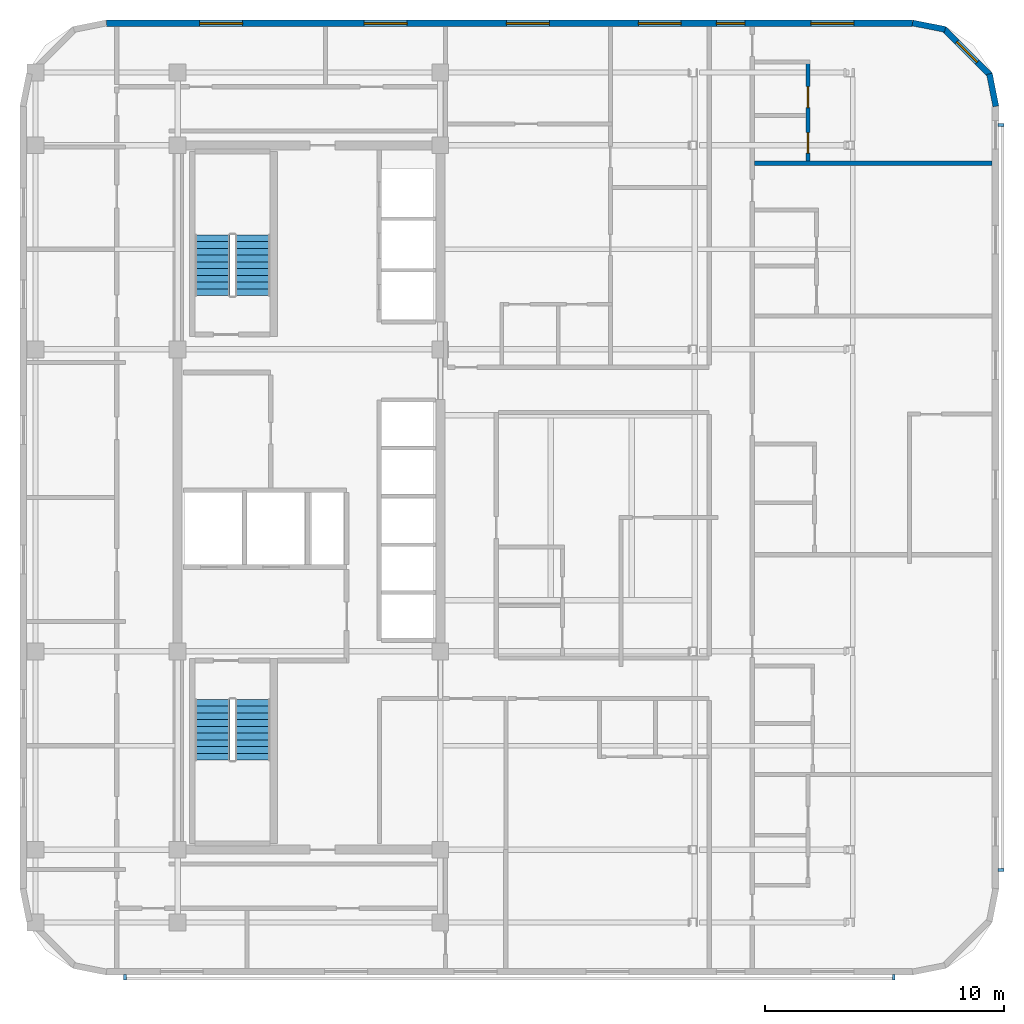
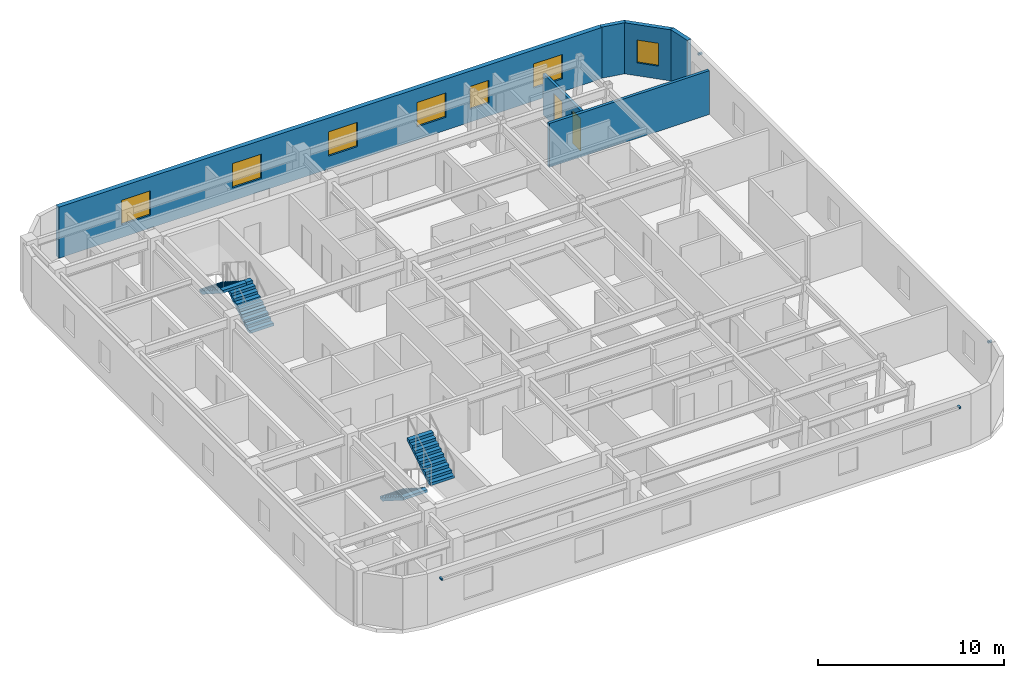
# One storey, part 7 of 10: 7 windows, 6 walls, 4 discrete accessories, 4 stair flights, 2 doors, 9 openings, 2 elements without a shape of their own.
"""IFC4 building model written with IfcOpenShell, lengths in metres."""

from ifc_helpers import new_model, si_unit, direction, frame, frame_2d, origin, origin_2d, place, context, subcontext, project, spatial, polyline, rectangle, outline, extrude, material, layer, layer_set, type_object, element, fill, aggregate, save


model = new_model("IFC4")

# Units and contexts
model_context = context("Model", 3, precision=1e-05, world=origin(), true_north=direction((0.0, 1.0)))
body_context = subcontext(model_context, "Body", "Model", "MODEL_VIEW")
ifc_project = project(units=[si_unit("LENGTHUNIT", "METRE"), si_unit("AREAUNIT", "SQUARE_METRE"), si_unit("VOLUMEUNIT", "CUBIC_METRE"), si_unit("PLANEANGLEUNIT", "RADIAN"), si_unit("MASSUNIT", "GRAM", prefix="KILO")], contexts=[model_context])

# Site, building, storey
site_placement = place(None, origin())
site = spatial("IfcSite", under=ifc_project, at=site_placement, CompositionType="ELEMENT")
building_placement = place(site_placement, origin())
building = spatial("IfcBuilding", under=site, at=building_placement, Name="Ochreholt Gables", CompositionType="ELEMENT")
storey_placement = place(building_placement, frame((0.0, 0.0, 166.199951171875)))
storey = spatial("IfcBuildingStorey", under=building, at=storey_placement, Name="L43", CompositionType="ELEMENT", Elevation=166.199951171875)

# Wall, openings, windows
ifc_material_1 = material(Name="Precast concrete 40 MPa", Category="concrete")
ifc_layer_1 = layer(ifc_material_1, 0.280029296875, Name="Precast concrete 40 MPa")
ifc_layer_set_1 = layer_set([ifc_layer_1], Name="Precast concrete 40 MPa")
wall_type_1 = type_object("IfcWallType", Name="WALL-EXT-280", PredefinedType="SOLIDWALL", material=ifc_layer_set_1)
wall_1_placement = place(storey_placement, frame((54.97998046875, 43.860107421875, 0.0), z_axis=(0.0, 0.0, 1.0), x_axis=(-1.0, 0.0, 0.0)))
wall_1 = element("IfcWall", 1, at=wall_1_placement, inside=storey, type_object=wall_type_1, Name="L43 North Exterior Wall", PredefinedType="SOLIDWALL", context=body_context, shape_type="SweptSolid", body=[
    extrude(rectangle(XDim=33.760009765625, YDim=0.280029296875, at=frame_2d((16.8798828125, 0.0))), origin(), (0.0, 0.0, 1.0), 3.360107421875),
])
opening_1_placement = place(wall_1_placement, frame((28.054931640625, 0.0, 0.85009765625)))
opening_1 = element("IfcOpeningElement", 2, at=opening_1_placement, cuts=wall_1, Name="Opening WN-1", PredefinedType="OPENING", context=body_context, shape_type="SweptSolid", body=[
    extrude(rectangle(XDim=1.800048828125, YDim=1.60009765625, at=frame_2d((0.89990234375, 0.800048828125))), frame((0.0, 0.14990234375, 0.0), z_axis=(0.0, -1.0, 0.0), x_axis=(1.0, 0.0, 0.0)), (0.0, 0.0, 1.0), 0.300048828125),
])
opening_2_placement = place(wall_1_placement, frame((21.169921875, 0.0, 0.85009765625)))
opening_2 = element("IfcOpeningElement", 3, at=opening_2_placement, cuts=wall_1, Name="Opening WN-1", PredefinedType="OPENING", context=body_context, shape_type="SweptSolid", body=[
    extrude(rectangle(XDim=1.800048828125, YDim=1.60009765625, at=frame_2d((0.89990234375, 0.800048828125))), frame((0.0, 0.14990234375, 0.0), z_axis=(0.0, -1.0, 0.0), x_axis=(1.0, 0.0, 0.0)), (0.0, 0.0, 1.0), 0.300048828125),
])
opening_3_placement = place(wall_1_placement, frame((15.20703125, 0.0, 0.85009765625)))
opening_3 = element("IfcOpeningElement", 4, at=opening_3_placement, cuts=wall_1, Name="Opening WN-1", PredefinedType="OPENING", context=body_context, shape_type="SweptSolid", body=[
    extrude(rectangle(XDim=1.800048828125, YDim=1.60009765625, at=frame_2d((0.89990234375, 0.800048828125))), frame((0.0, 0.14990234375, 0.0), z_axis=(0.0, -1.0, 0.0), x_axis=(1.0, 0.0, 0.0)), (0.0, 0.0, 1.0), 0.300048828125),
])
opening_4_placement = place(wall_1_placement, frame((9.68408203125, 0.0, 0.85009765625)))
opening_4 = element("IfcOpeningElement", 5, at=opening_4_placement, cuts=wall_1, Name="Opening WN-1", PredefinedType="OPENING", context=body_context, shape_type="SweptSolid", body=[
    extrude(rectangle(XDim=1.800048828125, YDim=1.60009765625, at=frame_2d((0.89990234375, 0.800048828125))), frame((0.0, 0.14990234375, 0.0), z_axis=(0.0, -1.0, 0.0), x_axis=(1.0, 0.0, 0.0)), (0.0, 0.0, 1.0), 0.300048828125),
])
opening_5_placement = place(wall_1_placement, frame((7.013916015625, 0.0, 0.85009765625)))
opening_5 = element("IfcOpeningElement", 6, at=opening_5_placement, cuts=wall_1, Name="Opening WN-3", PredefinedType="OPENING", context=body_context, shape_type="SweptSolid", body=[
    extrude(rectangle(XDim=1.199951171875, YDim=1.5, at=frame_2d((0.60009765625, 0.75))), frame((0.0, 0.14990234375, 0.0), z_axis=(0.0, -1.0, 0.0), x_axis=(1.0, 0.0, 0.0)), (0.0, 0.0, 1.0), 0.300048828125),
])
opening_6_placement = place(wall_1_placement, frame((2.45703125, 0.0, 0.85009765625)))
opening_6 = element("IfcOpeningElement", 7, at=opening_6_placement, cuts=wall_1, Name="Opening WN-1", PredefinedType="OPENING", context=body_context, shape_type="SweptSolid", body=[
    extrude(rectangle(XDim=1.800048828125, YDim=1.60009765625, at=frame_2d((0.89990234375, 0.800048828125))), frame((0.0, 0.14990234375, 0.0), z_axis=(0.0, -1.0, 0.0), x_axis=(1.0, 0.0, 0.0)), (0.0, 0.0, 1.0), 0.300048828125),
])
ifc_material_2 = material(Name="Triple-Glazed Thermally Broken Aluminium Window", Category="aluminium")
window_type_1 = type_object("IfcWindowType", Name="WIN-RES-1200", PartitioningType="SINGLE_PANEL", PredefinedType="WINDOW", material=ifc_material_2)
window_1_placement = place(opening_5_placement, origin())
window_1 = element("IfcWindow", 8, at=window_1_placement, inside=storey, type_object=window_type_1, Name="L43 Window W-EXT-N-L43-5", OverallHeight=1.5, OverallWidth=1.199951171875, PartitioningType="SINGLE_PANEL", PredefinedType="WINDOW", context=body_context, shape_type="SweptSolid", body=[
    extrude(rectangle(XDim=1.199951171875, YDim=1.5, at=frame_2d((0.60009765625, 0.75))), frame((0.0, 0.030029296875, 0.0), z_axis=(0.0, -1.0, 0.0), x_axis=(1.0, 0.0, 0.0)), (0.0, 0.0, 1.0), 0.06005859375),
])
fill(opening_5, window_1)
window_type_2 = type_object("IfcWindowType", Name="WIN-RES-1800", PartitioningType="SINGLE_PANEL", PredefinedType="WINDOW", material=ifc_material_2)
window_2_placement = place(opening_1_placement, origin())
window_2 = element("IfcWindow", 9, at=window_2_placement, inside=storey, type_object=window_type_2, Name="L43 Window W-EXT-N-L43-1", OverallHeight=1.60009765625, OverallWidth=1.800048828125, PartitioningType="SINGLE_PANEL", PredefinedType="WINDOW", context=body_context, shape_type="SweptSolid", body=[
    extrude(rectangle(XDim=1.800048828125, YDim=1.60009765625, at=frame_2d((0.89990234375, 0.800048828125))), frame((0.0, 0.030029296875, 0.0), z_axis=(0.0, -1.0, 0.0), x_axis=(1.0, 0.0, 0.0)), (0.0, 0.0, 1.0), 0.06005859375),
])
fill(opening_1, window_2)
window_3_placement = place(opening_2_placement, origin())
window_3 = element("IfcWindow", 10, at=window_3_placement, inside=storey, type_object=window_type_2, Name="L43 Window W-EXT-N-L43-2", OverallHeight=1.60009765625, OverallWidth=1.800048828125, PartitioningType="SINGLE_PANEL", PredefinedType="WINDOW", context=body_context, shape_type="SweptSolid", body=[
    extrude(rectangle(XDim=1.800048828125, YDim=1.60009765625, at=frame_2d((0.89990234375, 0.800048828125))), frame((0.0, 0.030029296875, 0.0), z_axis=(0.0, -1.0, 0.0), x_axis=(1.0, 0.0, 0.0)), (0.0, 0.0, 1.0), 0.06005859375),
])
fill(opening_2, window_3)
window_4_placement = place(opening_3_placement, origin())
window_4 = element("IfcWindow", 11, at=window_4_placement, inside=storey, type_object=window_type_2, Name="L43 Window W-EXT-N-L43-3", OverallHeight=1.60009765625, OverallWidth=1.800048828125, PartitioningType="SINGLE_PANEL", PredefinedType="WINDOW", context=body_context, shape_type="SweptSolid", body=[
    extrude(rectangle(XDim=1.800048828125, YDim=1.60009765625, at=frame_2d((0.89990234375, 0.800048828125))), frame((0.0, 0.030029296875, 0.0), z_axis=(0.0, -1.0, 0.0), x_axis=(1.0, 0.0, 0.0)), (0.0, 0.0, 1.0), 0.06005859375),
])
fill(opening_3, window_4)
window_5_placement = place(opening_4_placement, origin())
window_5 = element("IfcWindow", 12, at=window_5_placement, inside=storey, type_object=window_type_2, Name="L43 Window W-EXT-N-L43-4", OverallHeight=1.60009765625, OverallWidth=1.800048828125, PartitioningType="SINGLE_PANEL", PredefinedType="WINDOW", context=body_context, shape_type="SweptSolid", body=[
    extrude(rectangle(XDim=1.800048828125, YDim=1.60009765625, at=frame_2d((0.89990234375, 0.800048828125))), frame((0.0, 0.030029296875, 0.0), z_axis=(0.0, -1.0, 0.0), x_axis=(1.0, 0.0, 0.0)), (0.0, 0.0, 1.0), 0.06005859375),
])
fill(opening_4, window_5)
window_6_placement = place(opening_6_placement, origin())
window_6 = element("IfcWindow", 13, at=window_6_placement, inside=storey, type_object=window_type_2, Name="L43 Window W-EXT-N-L43-6", OverallHeight=1.60009765625, OverallWidth=1.800048828125, PartitioningType="SINGLE_PANEL", PredefinedType="WINDOW", context=body_context, shape_type="SweptSolid", body=[
    extrude(rectangle(XDim=1.800048828125, YDim=1.60009765625, at=frame_2d((0.89990234375, 0.800048828125))), frame((0.0, 0.030029296875, 0.0), z_axis=(0.0, -1.0, 0.0), x_axis=(1.0, 0.0, 0.0)), (0.0, 0.0, 1.0), 0.06005859375),
])
fill(opening_6, window_6)

# Wall
ifc_layer_2 = layer(ifc_material_1, 0.25, Name="Precast concrete 40 MPa")
ifc_layer_set_2 = layer_set([ifc_layer_2], Name="Precast concrete 40 MPa")
wall_type_2 = type_object("IfcWallType", Name="WALL-EXT-CNR", PredefinedType="SOLIDWALL", material=ifc_layer_set_2)
wall_2_placement = place(storey_placement, frame((58.475830078125, 40.383544921875, 0.0), z_axis=(0.0, 0.0, 1.0), x_axis=(-0.19496651342, 0.980809899341, 0.0)))
element("IfcWall", 14, at=wall_2_placement, inside=storey, type_object=wall_type_2, Name="L43 Rounded Corner Wall NE-1", PredefinedType="SOLIDWALL", context=body_context, shape_type="SweptSolid", body=[
    extrude(rectangle(XDim=1.388671875, YDim=0.25, at=frame_2d((0.6943359375, 0.0))), origin(), (0.0, 0.0, 1.0), 3.360107421875),
])

# Wall, opening, window
wall_3_placement = place(storey_placement, frame((58.23193359375, 41.695068359375, 0.0), z_axis=(0.0, 0.0, 1.0), x_axis=(-0.707106781187, 0.707106781187, 0.0)))
wall_3 = element("IfcWall", 15, at=wall_3_placement, inside=storey, type_object=wall_type_2, Name="L43 Rounded Corner Wall NE-2", PredefinedType="SOLIDWALL", context=body_context, shape_type="SweptSolid", body=[
    extrude(rectangle(XDim=2.7392578125, YDim=0.25, at=frame_2d((1.36962890625, 0.0))), origin(), (0.0, 0.0, 1.0), 3.360107421875),
])
opening_7_placement = place(wall_3_placement, frame((0.769775390625, 0.0, 0.85009765625)))
opening_7 = element("IfcOpeningElement", 16, at=opening_7_placement, cuts=wall_3, Name="Opening WN-3", PredefinedType="OPENING", context=body_context, shape_type="SweptSolid", body=[
    extrude(rectangle(XDim=1.199951171875, YDim=1.5, at=frame_2d((0.60009765625, 0.75))), frame((0.0, 0.135009765625, 0.0), z_axis=(0.0, -1.0, 0.0), x_axis=(1.0, 0.0, 0.0)), (0.0, 0.0, 1.0), 0.27001953125),
])
window_7_placement = place(opening_7_placement, origin())
window_7 = element("IfcWindow", 17, at=window_7_placement, inside=storey, type_object=window_type_1, Name="L43 Corner Bedroom Window NE", OverallHeight=1.5, OverallWidth=1.199951171875, PartitioningType="SINGLE_PANEL", PredefinedType="WINDOW", context=body_context, shape_type="SweptSolid", body=[
    extrude(rectangle(XDim=1.199951171875, YDim=1.5, at=frame_2d((0.60009765625, 0.75))), frame((0.0, 0.030029296875, 0.0), z_axis=(0.0, -1.0, 0.0), x_axis=(1.0, 0.0, 0.0)), (0.0, 0.0, 1.0), 0.06005859375),
])
fill(opening_7, window_7)

# Walls
wall_4_placement = place(storey_placement, frame((56.345458984375, 43.60498046875, 0.0), z_axis=(0.0, 0.0, 1.0), x_axis=(-0.980809899341, 0.19496651342, 0.0)))
element("IfcWall", 18, at=wall_4_placement, inside=storey, type_object=wall_type_2, Name="L43 Rounded Corner Wall NE-3", PredefinedType="SOLIDWALL", context=body_context, shape_type="SweptSolid", body=[
    extrude(rectangle(XDim=1.388671875, YDim=0.25, at=frame_2d((0.6943359375, 0.0))), origin(), (0.0, 0.0, 1.0), 3.360107421875),
])
ifc_material_3 = material(Name="Double-Stud Acoustic Demising Wall", Category="gypsum")
ifc_layer_3 = layer(ifc_material_3, 0.179931640625, Name="Double-Stud Acoustic Demising Wall")
ifc_layer_set_3 = layer_set([ifc_layer_3], Name="Double-Stud Acoustic Demising Wall")
wall_type_3 = type_object("IfcWallType", Name="WALL-INT-DM180", PredefinedType="PARTITIONING", material=ifc_layer_set_3)
wall_5_placement = place(storey_placement, frame((48.35595703125, 38.0, 0.0), z_axis=(0.0, 0.0, 1.0), x_axis=(1.0, 0.0, 0.0)))
element("IfcWall", 19, at=wall_5_placement, inside=storey, type_object=wall_type_3, Name="L43 Interior Wall WI-C2FED5-L43", PredefinedType="PARTITIONING", context=body_context, shape_type="SweptSolid", body=[
    extrude(rectangle(XDim=9.964111328125, YDim=0.179931640625, at=frame_2d((4.98193359375, 0.0))), origin(), (0.0, 0.0, 1.0), 2.879150390625),
])

# Wall, openings, doors
ifc_material_4 = material(Name="Moisture-Resistant Plumbing Chase Wall", Category="gypsum")
ifc_layer_4 = layer(ifc_material_4, 0.159912109375, Name="Moisture-Resistant Plumbing Chase Wall")
ifc_layer_set_4 = layer_set([ifc_layer_4], Name="Moisture-Resistant Plumbing Chase Wall")
wall_type_4 = type_object("IfcWallType", Name="WALL-INT-PL160", PredefinedType="PLUMBINGWALL", material=ifc_layer_set_4)
wall_6_placement = place(storey_placement, frame((50.60595703125, 38.090087890625, 0.0), z_axis=(0.0, 0.0, 1.0), x_axis=(0.0, 1.0, 0.0)))
wall_6 = element("IfcWall", 20, at=wall_6_placement, inside=storey, type_object=wall_type_4, Name="L43 Interior Wall WU-L43FE5-WX", PredefinedType="PLUMBINGWALL", context=body_context, shape_type="SweptSolid", body=[
    extrude(rectangle(XDim=4.239990234375, YDim=0.159912109375, at=frame_2d((2.1201171875, 0.0))), origin(), (0.0, 0.0, 1.0), 2.72998046875),
])
opening_8_placement = place(wall_6_placement, frame((0.330078125, 0.0, 0.0)))
opening_8 = element("IfcOpeningElement", 21, at=opening_8_placement, cuts=wall_6, Name="Opening D-BT1", PredefinedType="OPENING", context=body_context, shape_type="SweptSolid", body=[
    extrude(rectangle(XDim=0.860107421875, YDim=2.1201171875, at=frame_2d((0.43017578125, 1.06005859375))), frame((0.0, 0.08984375, 0.0), z_axis=(0.0, -1.0, 0.0), x_axis=(1.0, 0.0, 0.0)), (0.0, 0.0, 1.0), 0.179931640625),
])
opening_9_placement = place(wall_6_placement, frame((2.239013671875, 0.0, 0.0)))
opening_9 = element("IfcOpeningElement", 22, at=opening_9_placement, cuts=wall_6, Name="Opening D-GN2", PredefinedType="OPENING", context=body_context, shape_type="SweptSolid", body=[
    extrude(rectangle(XDim=0.8798828125, YDim=2.1201171875, at=frame_2d((0.43994140625, 1.06005859375))), frame((0.0, 0.08984375, 0.0), z_axis=(0.0, -1.0, 0.0), x_axis=(1.0, 0.0, 0.0)), (0.0, 0.0, 1.0), 0.179931640625),
])
ifc_material_5 = material(Name="Engineered Oak Timber", Category="wood")
door_type_1 = type_object("IfcDoorType", Name="DR-INT-BTH860", OperationType="NOTDEFINED", PredefinedType="DOOR", material=ifc_material_5)
door_1_placement = place(opening_8_placement, origin())
door_1 = element("IfcDoor", 23, at=door_1_placement, inside=storey, type_object=door_type_1, Name="L43 Door D-U-L43FE5-BTH", OperationType="SINGLE_SWING_RIGHT", OverallHeight=2.1201171875, OverallWidth=0.860107421875, PredefinedType="DOOR", context=body_context, shape_type="SweptSolid", body=[
    extrude(rectangle(XDim=0.860107421875, YDim=2.1201171875, at=frame_2d((0.43017578125, 1.06005859375))), frame((0.0, 0.02490234375, 0.0), z_axis=(0.0, -1.0, 0.0), x_axis=(1.0, 0.0, 0.0)), (0.0, 0.0, 1.0), 0.050048828125),
])
fill(opening_8, door_1)
door_type_2 = type_object("IfcDoorType", Name="DR-INT-GEN880", OperationType="NOTDEFINED", PredefinedType="DOOR", material=ifc_material_5)
door_2_placement = place(opening_9_placement, origin())
door_2 = element("IfcDoor", 24, at=door_2_placement, inside=storey, type_object=door_type_2, Name="L43 Door D-U-L43FE5-KIT", OperationType="SINGLE_SWING_LEFT", OverallHeight=2.1201171875, OverallWidth=0.8798828125, PredefinedType="DOOR", context=body_context, shape_type="SweptSolid", body=[
    extrude(rectangle(XDim=0.8798828125, YDim=2.1201171875, at=frame_2d((0.43994140625, 1.06005859375))), frame((0.0, 0.02490234375, 0.0), z_axis=(0.0, -1.0, 0.0), x_axis=(1.0, 0.0, 0.0)), (0.0, 0.0, 1.0), 0.050048828125),
])
fill(opening_9, door_2)

# Stair, stair flights
ifc_material_6 = material(Name="Concrete 40 MPa", Category="concrete")
stair_type_1 = type_object("IfcStairType", Name="STAIR-CORE-ST-1", PredefinedType="HALF_TURN_STAIR", material=ifc_material_6)
stair_1_placement = place(storey_placement, origin())
stair_1 = element("IfcStair", 25, at=stair_1_placement, inside=storey, type_object=stair_type_1, Name="L43 Core Exit Stair 1", PredefinedType="HALF_TURN_STAIR")
stair_flight_type = type_object("IfcStairFlightType", Name="FLIGHT-ST-1480-1800", PredefinedType="STRAIGHT", material=ifc_material_6)
stair_flight_1_placement = place(storey_placement, frame((25.659912109375, 15.5400390625, 0.0), z_axis=(0.0, 0.0, 1.0), x_axis=(0.0, -1.0, 0.0)))
stair_flight_1 = element("IfcStairFlight", 26, at=stair_flight_1_placement, type_object=stair_flight_type, Name="ST-1 flight 1", NumberOfRisers=10, NumberOfTreads=9, PredefinedType="STRAIGHT", RiserHeight=0.18, TreadLength=0.282, context=body_context, shape_type="SweptSolid", body=[
    extrude(outline(polyline([(0.0, 0.0), (0.0, 0.179931640625), (0.281982421875, 0.179931640625), (0.281982421875, 0.360107421875), (0.56396484375, 0.360107421875), (0.56396484375, 0.5400390625), (0.845947265625, 0.5400390625), (0.845947265625, 0.719970703125), (1.1279296875, 0.719970703125), (1.1279296875, 0.89990234375), (1.409912109375, 0.89990234375), (1.409912109375, 1.080078125), (1.69189453125, 1.080078125), (1.69189453125, 1.260009765625), (1.97412109375, 1.260009765625), (1.97412109375, 1.43994140625), (2.256103515625, 1.43994140625), (2.256103515625, 1.6201171875), (2.5380859375, 1.6201171875), (2.5380859375, 1.800048828125), (2.5380859375, 1.442138671875), (0.278564453125, 0.0), (0.0, 0.0)])), frame((0.0, 0.739990234375, 0.0), z_axis=(0.0, -1.0, 0.0), x_axis=(1.0, 0.0, 0.0)), (0.0, 0.0, 1.0), 1.47998046875),
])
stair_flight_2_placement = place(storey_placement, frame((27.340087890625, 13.001953125, 1.800048828125), z_axis=(0.0, 0.0, 1.0), x_axis=(0.0, 1.0, 0.0)))
stair_flight_2 = element("IfcStairFlight", 27, at=stair_flight_2_placement, type_object=stair_flight_type, Name="ST-1 flight 2", NumberOfRisers=10, NumberOfTreads=9, PredefinedType="STRAIGHT", RiserHeight=0.18, TreadLength=0.282, context=body_context, shape_type="SweptSolid", body=[
    extrude(outline(polyline([(0.0, 0.0), (0.0, 0.179931640625), (0.281982421875, 0.179931640625), (0.281982421875, 0.360107421875), (0.56396484375, 0.360107421875), (0.56396484375, 0.5400390625), (0.845947265625, 0.5400390625), (0.845947265625, 0.719970703125), (1.1279296875, 0.719970703125), (1.1279296875, 0.89990234375), (1.409912109375, 0.89990234375), (1.409912109375, 1.080078125), (1.69189453125, 1.080078125), (1.69189453125, 1.260009765625), (1.97412109375, 1.260009765625), (1.97412109375, 1.43994140625), (2.256103515625, 1.43994140625), (2.256103515625, 1.6201171875), (2.5380859375, 1.6201171875), (2.5380859375, 1.800048828125), (2.5380859375, 1.442138671875), (0.278564453125, 0.0), (0.0, 0.0)])), frame((0.0, 0.739990234375, 0.0), z_axis=(0.0, -1.0, 0.0), x_axis=(1.0, 0.0, 0.0)), (0.0, 0.0, 1.0), 1.47998046875),
])
aggregate(stair_1, [stair_flight_1, stair_flight_2])

stair_type_2 = type_object("IfcStairType", Name="STAIR-CORE-ST-2", PredefinedType="HALF_TURN_STAIR", material=ifc_material_6)
stair_2_placement = place(storey_placement, origin())
stair_2 = element("IfcStair", 28, at=stair_2_placement, inside=storey, type_object=stair_type_2, Name="L43 Core Exit Stair 2", PredefinedType="HALF_TURN_STAIR")
stair_flight_3_placement = place(storey_placement, frame((27.340087890625, 32.4599609375, 0.0), z_axis=(0.0, 0.0, 1.0), x_axis=(0.0, 1.0, 0.0)))
stair_flight_3 = element("IfcStairFlight", 29, at=stair_flight_3_placement, type_object=stair_flight_type, Name="ST-2 flight 1", NumberOfRisers=10, NumberOfTreads=9, PredefinedType="STRAIGHT", RiserHeight=0.18, TreadLength=0.282, context=body_context, shape_type="SweptSolid", body=[
    extrude(outline(polyline([(0.0, 0.0), (0.0, 0.179931640625), (0.281982421875, 0.179931640625), (0.281982421875, 0.360107421875), (0.56396484375, 0.360107421875), (0.56396484375, 0.5400390625), (0.845947265625, 0.5400390625), (0.845947265625, 0.719970703125), (1.1279296875, 0.719970703125), (1.1279296875, 0.89990234375), (1.409912109375, 0.89990234375), (1.409912109375, 1.080078125), (1.69189453125, 1.080078125), (1.69189453125, 1.260009765625), (1.97412109375, 1.260009765625), (1.97412109375, 1.43994140625), (2.256103515625, 1.43994140625), (2.256103515625, 1.6201171875), (2.5380859375, 1.6201171875), (2.5380859375, 1.800048828125), (2.5380859375, 1.442138671875), (0.278564453125, 0.0), (0.0, 0.0)])), frame((0.0, 0.739990234375, 0.0), z_axis=(0.0, -1.0, 0.0), x_axis=(1.0, 0.0, 0.0)), (0.0, 0.0, 1.0), 1.47998046875),
])
stair_flight_4_placement = place(storey_placement, frame((25.659912109375, 34.998046875, 1.800048828125), z_axis=(0.0, 0.0, 1.0), x_axis=(0.0, -1.0, 0.0)))
stair_flight_4 = element("IfcStairFlight", 30, at=stair_flight_4_placement, type_object=stair_flight_type, Name="ST-2 flight 2", NumberOfRisers=10, NumberOfTreads=9, PredefinedType="STRAIGHT", RiserHeight=0.18, TreadLength=0.282, context=body_context, shape_type="SweptSolid", body=[
    extrude(outline(polyline([(0.0, 0.0), (0.0, 0.179931640625), (0.281982421875, 0.179931640625), (0.281982421875, 0.360107421875), (0.56396484375, 0.360107421875), (0.56396484375, 0.5400390625), (0.845947265625, 0.5400390625), (0.845947265625, 0.719970703125), (1.1279296875, 0.719970703125), (1.1279296875, 0.89990234375), (1.409912109375, 0.89990234375), (1.409912109375, 1.080078125), (1.69189453125, 1.080078125), (1.69189453125, 1.260009765625), (1.97412109375, 1.260009765625), (1.97412109375, 1.43994140625), (2.256103515625, 1.43994140625), (2.256103515625, 1.6201171875), (2.5380859375, 1.6201171875), (2.5380859375, 1.800048828125), (2.5380859375, 1.442138671875), (0.278564453125, 0.0), (0.0, 0.0)])), frame((0.0, 0.739990234375, 0.0), z_axis=(0.0, -1.0, 0.0), x_axis=(1.0, 0.0, 0.0)), (0.0, 0.0, 1.0), 1.47998046875),
])
aggregate(stair_2, [stair_flight_3, stair_flight_4])

# Discrete accessories
ifc_material_7 = material(Name="Extruded Aluminium Standoff Bracket", Category="aluminium")
discrete_accessory_type = type_object("IfcDiscreteAccessoryType", Name="ACC-BRACKET-AL", PredefinedType="BRACKET", material=ifc_material_7)
for number, where, z_axis, x_axis, name in (
    (31, (22.0, 3.909912109375, 2.780029296875), (0.0, 0.0, 1.0), (1.0, 0.0, 0.0), "L43 Baguette Standoff Bracket S1-1"),
    (32, (54.199951171875, 3.909912109375, 2.780029296875), (0.0, 0.0, 1.0), (1.0, 0.0, 0.0), "L43 Baguette Standoff Bracket S1-2"),
    (33, (58.68994140625, 8.39990234375, 2.780029296875), (0.0, 0.0, 1.0), (0.0, 1.0, 0.0), "L43 Baguette Standoff Bracket E1-1"),
    (34, (58.68994140625, 39.60009765625, 2.780029296875), (0.0, 0.0, 1.0), (0.0, 1.0, 0.0), "L43 Baguette Standoff Bracket E1-2"),
):
    element("IfcDiscreteAccessory", number, at=place(storey_placement, frame(where, z_axis=z_axis, x_axis=x_axis)), inside=storey, type_object=discrete_accessory_type, Name=name, PredefinedType="BRACKET", context=body_context, shape_type="SweptSolid", body=[
        extrude(rectangle(XDim=0.1201171875, YDim=0.239990234375, at=origin_2d()), origin(), (0.0, 0.0, 1.0), 0.1201171875),
    ])

save(model, "model.ifc")
